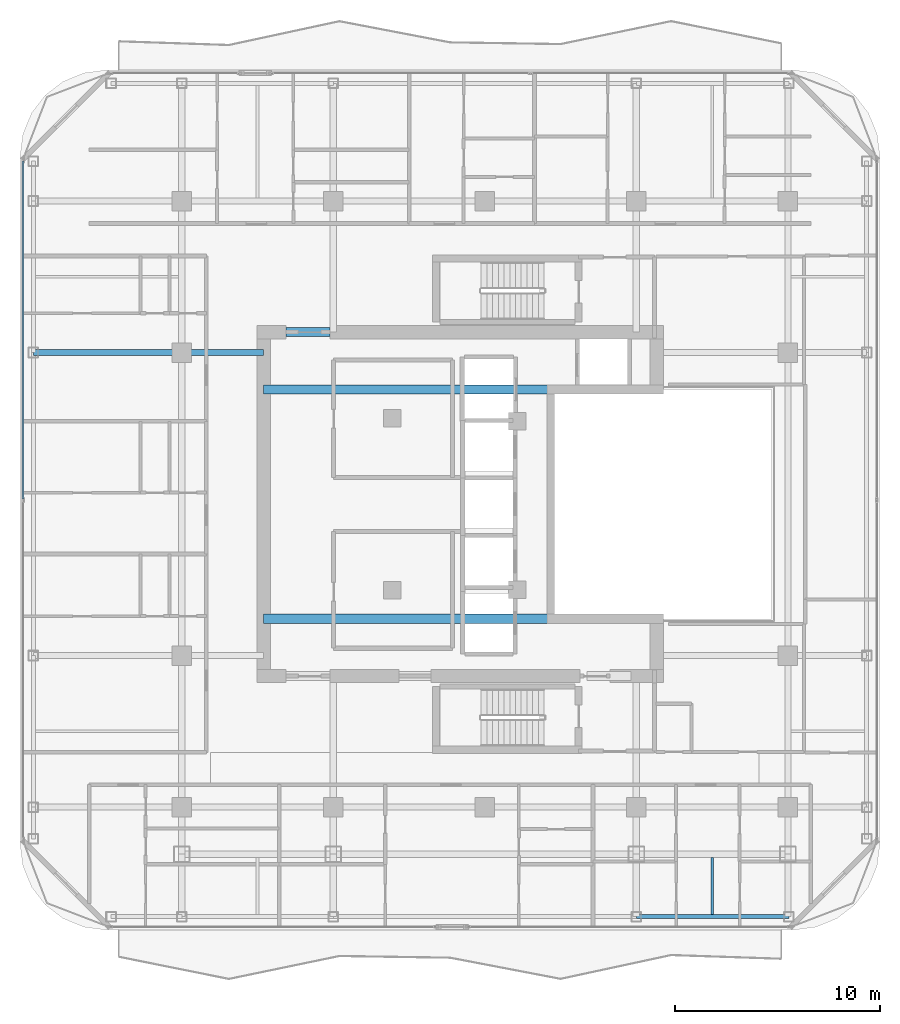
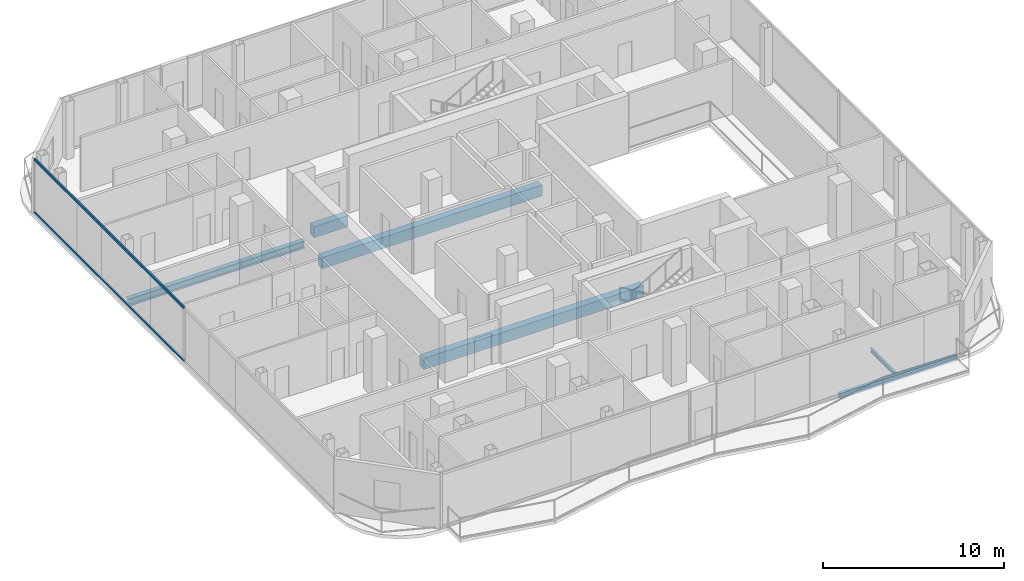
# One storey, part 7 of 23: 7 beams, 2 members, 1 element without a shape of its own.
"""IFC4 building model written with IfcOpenShell, lengths in metres."""

from ifc_helpers import new_model, si_unit, direction, frame, origin, origin_2d, place, context, subcontext, project, spatial, rectangle, hollow_rectangle, i_section, extrude, material, layer, layer_set, material_profile, profile_set, type_object, element, aggregate, save


model = new_model("IFC4")

# Units and contexts
model_context = context("Model", 3, precision=1e-05, world=origin(), true_north=direction((0.0, 1.0)))
body_context = subcontext(model_context, "Body", "Model", "MODEL_VIEW")
ifc_project = project(units=[si_unit("LENGTHUNIT", "METRE"), si_unit("AREAUNIT", "SQUARE_METRE"), si_unit("VOLUMEUNIT", "CUBIC_METRE"), si_unit("PLANEANGLEUNIT", "RADIAN"), si_unit("MASSUNIT", "GRAM", prefix="KILO")], contexts=[model_context])

# Site, building, storey
site_placement = place(None, origin())
site = spatial("IfcSite", under=ifc_project, at=site_placement, CompositionType="ELEMENT")
building_placement = place(site_placement, origin())
building = spatial("IfcBuilding", under=site, at=building_placement, Name="Khorvyn Point Tower", CompositionType="ELEMENT")
storey_placement = place(building_placement, frame((0.0, 0.0, 297.60009765625)))
storey = spatial("IfcBuildingStorey", under=building, at=storey_placement, Name="L73", CompositionType="ELEMENT", Elevation=297.60009765625)

# Curtain wall, members
ifc_material_1 = material(Name="Anodised aluminium 6063-T6 and laminated Low-E glass", Category="aluminium")
ifc_layer = layer(ifc_material_1, 0.18994140625)
ifc_layer_set = layer_set([ifc_layer], Name="Stick-Built High-Wind Curtain Wall CW-SYS-04")
curtain_wall_type = type_object("IfcCurtainWallType", Name="Stick-Built High-Wind Curtain Wall CW-SYS-04", PredefinedType="NOTDEFINED", material=ifc_layer_set)
curtain_wall_placement = place(storey_placement, origin())
curtain_wall = element("IfcCurtainWall", 1, at=curtain_wall_placement, inside=storey, type_object=curtain_wall_type, Name="Curtain Wall", PredefinedType="NOTDEFINED")
ifc_material_2 = material(Name="Anodised aluminium 6063-T6", Category="aluminium")
ifc_material_profile_1 = material_profile(ifc_material_2, hollow_rectangle(XDim=0.10009765625, YDim=0.159912109375, WallThickness=0.00439453125, at=origin_2d()))
ifc_profile_set_1 = profile_set([ifc_material_profile_1], Name="Anodised aluminium 6063-T6 ALU-TRN-100x160")
member_type = type_object("IfcMemberType", Name="Anodised Aluminium 6063-T6 Transom ALU-TRN-100x160", PredefinedType="USERDEFINED", material=ifc_profile_set_1)
member_1_placement = place(storey_placement, frame((-22.550048828125, 0.25, 0.0498046875), z_axis=(0.0, 1.0, 0.0), x_axis=(-1.0, 0.0, 0.0)))
member_1 = element("IfcMember", 2, at=member_1_placement, type_object=member_type, Name="Transom", ObjectType="TRANSOM", PredefinedType="USERDEFINED", context=body_context, shape_type="SweptSolid", body=[
    extrude(hollow_rectangle(XDim=0.10009765625, YDim=0.159912109375, WallThickness=0.00439453125, at=origin_2d()), origin(), (0.0, 0.0, 1.0), 16.5),
])
member_2_placement = place(storey_placement, frame((-22.550048828125, 0.25, 3.6298828125), z_axis=(0.0, 1.0, 0.0), x_axis=(-1.0, 0.0, 0.0)))
member_2 = element("IfcMember", 3, at=member_2_placement, type_object=member_type, Name="Transom", ObjectType="TRANSOM", PredefinedType="USERDEFINED", context=body_context, shape_type="SweptSolid", body=[
    extrude(hollow_rectangle(XDim=0.10009765625, YDim=0.159912109375, WallThickness=0.00439453125, at=origin_2d()), origin(), (0.0, 0.0, 1.0), 16.5),
])
aggregate(curtain_wall, [member_1, member_2])

# Beams
ifc_material_3 = material(Name="Concrete C40/50", Category="concrete")
ifc_material_profile_2 = material_profile(ifc_material_3, rectangle(XDim=0.449951171875, YDim=0.75, at=origin_2d()))
ifc_profile_set_2 = profile_set([ifc_material_profile_2], Name="Concrete C40/50 RC450x750")
beam_type_1 = type_object("IfcBeamType", Name="Concrete C40/50 Beam RC450x750", PredefinedType="BEAM", material=ifc_profile_set_2)
for number, where, z_axis, x_axis, name in (
    (4, (-10.800048828125, -5.60009765625, -0.59521484375), (1.0, 0.0, 0.0), (0.0, 1.0, 0.0), "L73 Core Internal Tie Girder S"),
    (5, (-10.800048828125, 5.60009765625, -0.59521484375), (1.0, 0.0, 0.0), (0.0, 1.0, 0.0), "L73 Core Internal Tie Girder N"),
):
    element("IfcBeam", number, at=place(storey_placement, frame(where, z_axis=z_axis, x_axis=x_axis)), inside=storey, type_object=beam_type_1, Name=name, PredefinedType="BEAM", context=body_context, shape_type="SweptSolid", body=[
        extrude(rectangle(XDim=0.449951171875, YDim=0.75, at=origin_2d()), origin(), (0.0, 0.0, 1.0), 14.02001953125),
    ])
beam_1_placement = place(storey_placement, frame((-9.699951171875, 8.39990234375, -0.59521484375), z_axis=(1.0, 0.0, 0.0), x_axis=(0.0, 1.0, 0.0)))
element("IfcBeam", 6, at=beam_1_placement, inside=storey, type_object=beam_type_1, Name="L73 Core Northwest Portal Coupling Beam", PredefinedType="BEAM", context=body_context, shape_type="SweptSolid", body=[
    extrude(rectangle(XDim=0.449951171875, YDim=0.75, at=origin_2d()), origin(), (0.0, 0.0, 1.0), 2.14990234375),
])
ifc_material_4 = material(Name="Steel S355", Category="steel")
ifc_material_profile_3 = material_profile(ifc_material_4, i_section(OverallWidth=0.125, OverallDepth=0.25, WebThickness=0.006103515625, FlangeThickness=0.009033203125, at=origin_2d()))
ifc_profile_set_3 = profile_set([ifc_material_profile_3], Name="Steel S355 H250x125x6x9")
beam_type_2 = type_object("IfcBeamType", Name="Steel S355 Joist H250x125x6x9", PredefinedType="JOIST", material=ifc_profile_set_3)
beam_2_placement = place(storey_placement, frame((11.10009765625, -20.050048828125, -0.34521484375), z_axis=(0.0, 1.0, 0.0), x_axis=(-1.0, 0.0, 0.0)))
element("IfcBeam", 7, at=beam_2_placement, inside=storey, type_object=beam_type_2, Name="Beam", PredefinedType="JOIST", context=body_context, shape_type="SweptSolid", body=[
    extrude(i_section(OverallWidth=0.125, OverallDepth=0.25, WebThickness=0.006103515625, FlangeThickness=0.009033203125, at=origin_2d()), origin(), (0.0, 0.0, 1.0), 2.800048828125),
])
ifc_material_profile_4 = material_profile(ifc_material_4, i_section(OverallWidth=0.300048828125, OverallDepth=0.488037109375, WebThickness=0.010986328125, FlangeThickness=0.01806640625, at=origin_2d()))
ifc_profile_set_4 = profile_set([ifc_material_profile_4], Name="Steel S355 H488x300x11x18")
beam_type_3 = type_object("IfcBeamType", Name="Steel S355 Spandrel H488x300x11x18", PredefinedType="SPANDREL", material=ifc_profile_set_4)
beam_3_placement = place(storey_placement, frame((-22.050048828125, 7.39990234375, -0.464111328125), z_axis=(1.0, 0.0, 0.0), x_axis=(0.0, 1.0, 0.0)))
element("IfcBeam", 8, at=beam_3_placement, inside=storey, type_object=beam_type_3, Name="Beam", PredefinedType="SPANDREL", context=body_context, shape_type="SweptSolid", body=[
    extrude(i_section(OverallWidth=0.300048828125, OverallDepth=0.488037109375, WebThickness=0.010986328125, FlangeThickness=0.01806640625, at=origin_2d()), origin(), (0.0, 0.0, 1.0), 7.25),
])
beam_4_placement = place(storey_placement, frame((-14.800048828125, 7.39990234375, -0.464111328125), z_axis=(1.0, 0.0, 0.0), x_axis=(0.0, 1.0, 0.0)))
element("IfcBeam", 9, at=beam_4_placement, inside=storey, type_object=beam_type_3, Name="Beam", PredefinedType="SPANDREL", context=body_context, shape_type="SweptSolid", body=[
    extrude(i_section(OverallWidth=0.300048828125, OverallDepth=0.488037109375, WebThickness=0.010986328125, FlangeThickness=0.01806640625, at=origin_2d()), origin(), (0.0, 0.0, 1.0), 4.0),
])
ifc_material_profile_5 = material_profile(ifc_material_4, hollow_rectangle(XDim=0.199951171875, YDim=0.35009765625, WallThickness=0.013916015625, at=origin_2d()))
ifc_profile_set_5 = profile_set([ifc_material_profile_5], Name="Steel S355 RHS350x200x14")
beam_type_4 = type_object("IfcBeamType", Name="Steel S355 Spandrel RHS350x200x14", PredefinedType="SPANDREL", material=ifc_profile_set_5)
beam_5_placement = place(storey_placement, frame((7.39990234375, -20.14990234375, -0.39501953125), z_axis=(1.0, 0.0, 0.0), x_axis=(0.0, 1.0, 0.0)))
element("IfcBeam", 10, at=beam_5_placement, inside=storey, type_object=beam_type_4, Name="Beam", PredefinedType="SPANDREL", context=body_context, shape_type="SweptSolid", body=[
    extrude(hollow_rectangle(XDim=0.199951171875, YDim=0.35009765625, WallThickness=0.013916015625, at=origin_2d()), origin(), (0.0, 0.0, 1.0), 7.4501953125),
])

save(model, "model.ifc")
